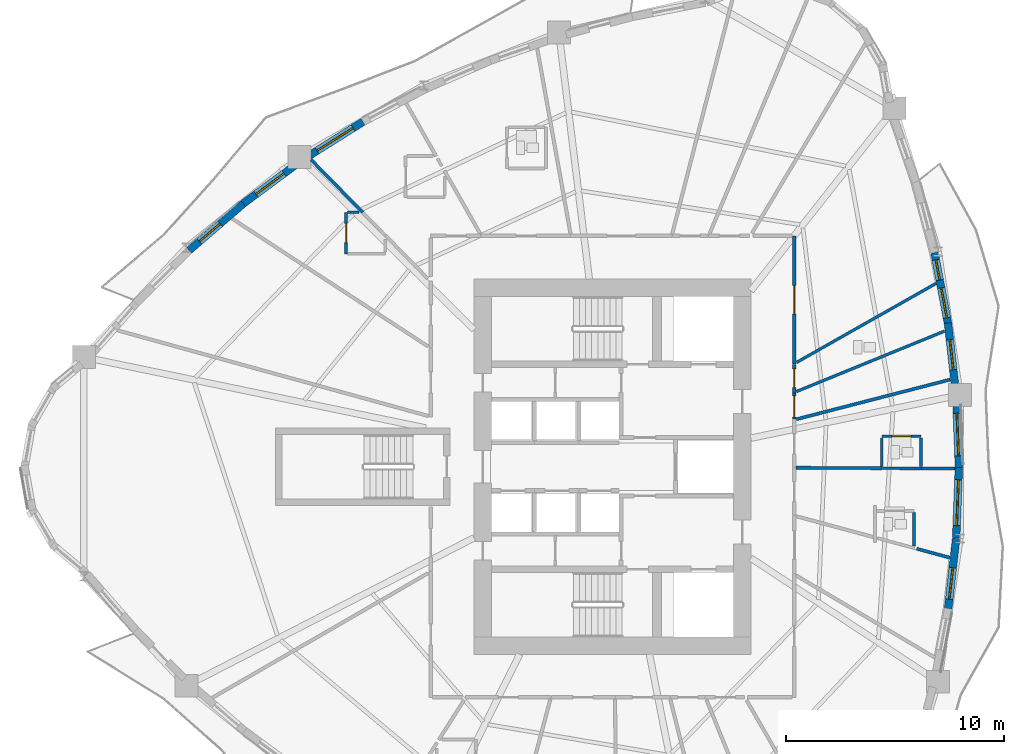
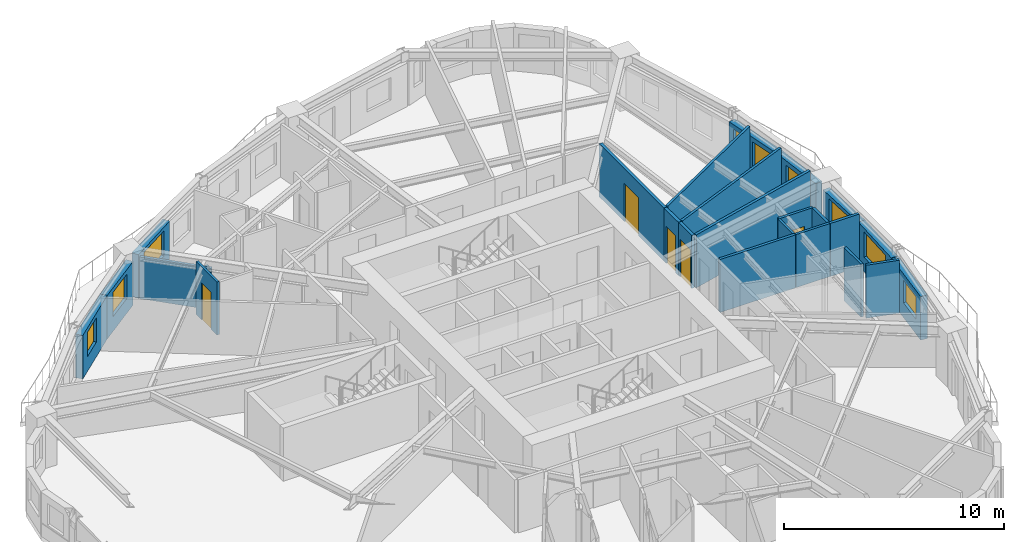
# One storey, part 7 of 13: 25 walls, 9 windows, 5 doors, 14 openings.
"""IFC4 building model written with IfcOpenShell, lengths in metres."""

from ifc_helpers import new_model, si_unit, direction, frame, frame_2d, origin, place, context, subcontext, project, spatial, rectangle, extrude, source, transform, mapped, material, layer, layer_set, type_object, element, fill, save


model = new_model("IFC4")

# Units and contexts
model_context = context("Model", 3, precision=1e-05, world=origin(), true_north=direction((0.0, 1.0)))
body_context = subcontext(model_context, "Body", "Model", "MODEL_VIEW")
ifc_project = project(units=[si_unit("LENGTHUNIT", "METRE"), si_unit("AREAUNIT", "SQUARE_METRE"), si_unit("VOLUMEUNIT", "CUBIC_METRE"), si_unit("PLANEANGLEUNIT", "RADIAN"), si_unit("MASSUNIT", "GRAM", prefix="KILO")], contexts=[model_context])

# Site, building, storey
site_placement = place(None, origin())
site = spatial("IfcSite", under=ifc_project, at=site_placement, CompositionType="ELEMENT")
building_placement = place(site_placement, origin())
building = spatial("IfcBuilding", under=site, at=building_placement, Name="Qafzar Sky-Pleat Residences", CompositionType="ELEMENT")
storey_placement = place(building_placement, frame((0.0, 0.0, 52.60009765625)))
storey = spatial("IfcBuildingStorey", under=building, at=storey_placement, Name="L15", CompositionType="ELEMENT", Elevation=52.60009765625)

# Wall, opening, door
ifc_material_1 = material(Name="Acoustic gypsum plasterboard partition", Category="gypsum")
ifc_layer_1 = layer(ifc_material_1, 0.159912109375)
ifc_layer_set_1 = layer_set([ifc_layer_1], Name="Acoustic gypsum plasterboard partition")
wall_type_1 = type_object("IfcWallType", Name="PART-COR-160", PredefinedType="PARTITIONING", material=ifc_layer_set_1)
wall_1_placement = place(storey_placement, frame((38.679931640625, 36.580078125, 0.0), z_axis=(0.0, 0.0, 1.0), x_axis=(0.0, -1.0, 0.0)))
wall_1 = element("IfcWall", 1, at=wall_1_placement, inside=storey, type_object=wall_type_1, Name="L15 Partition Wall PART-L15-PW-001", PredefinedType="PARTITIONING", context=body_context, shape_type="SweptSolid", body=[
    extrude(rectangle(XDim=5.880126953125, YDim=0.159912109375, at=frame_2d((2.93994140625, 0.0))), origin(), (0.0, 0.0, 1.0), 2.93994140625),
])
opening_1_placement = place(wall_1_placement, frame((2.281494140625, 0.0, 0.0)))
opening_1 = element("IfcOpeningElement", 2, at=opening_1_placement, cuts=wall_1, Name="Opening ID-05", PredefinedType="OPENING", context=body_context, shape_type="SweptSolid", body=[
    extrude(rectangle(XDim=1.300048828125, YDim=2.10009765625, at=frame_2d((0.64990234375, 1.050048828125))), frame((0.0, 0.08984375, 0.0), z_axis=(0.0, -1.0, 0.0), x_axis=(1.0, 0.0, 0.0)), (0.0, 0.0, 1.0), 0.179931640625),
])
ifc_material_2 = material(Name="Timber-faced fire door", Category="wood")
door_type_1 = type_object("IfcDoorType", Name="DR-LNG-1300", OperationType="DOUBLE_DOOR_SINGLE_SWING", PredefinedType="DOOR", material=ifc_material_2)
shared_shape_1 = source(origin(), body_context, "Body", "SweptSolid", [
    extrude(rectangle(XDim=1.300048828125, YDim=2.10009765625, at=frame_2d((0.64990234375, 1.050048828125))), frame((0.0, 0.02490234375, 0.0), z_axis=(0.0, -1.0, 0.0), x_axis=(1.0, 0.0, 0.0)), (0.0, 0.0, 1.0), 0.050048828125),
])
door_1_placement = place(opening_1_placement, origin())
door_1 = element("IfcDoor", 3, at=door_1_placement, inside=storey, type_object=door_type_1, Name="L15 Co-Living Lounge Door", OperationType="DOUBLE_DOOR_SINGLE_SWING", OverallHeight=2.10009765625, OverallWidth=1.300048828125, PredefinedType="DOOR", context=body_context, shape_type="MappedRepresentation", body=[
    mapped(shared_shape_1, transform((0.0, 0.0, 0.0), x_axis=(1.0, 0.0, 0.0), y_axis=(0.0, 1.0, 0.0), z_axis=(0.0, 0.0, 1.0), scale=1.0)),
])
fill(opening_1, door_1)

wall_2_placement = place(storey_placement, frame((38.679931640625, 30.68505859375, 0.0), z_axis=(0.0, 0.0, 1.0), x_axis=(0.0, -1.0, 0.0)))
wall_2 = element("IfcWall", 4, at=wall_2_placement, inside=storey, type_object=wall_type_1, Name="L15 Partition Wall PART-L15-PW-028", PredefinedType="PARTITIONING", context=body_context, shape_type="SweptSolid", body=[
    extrude(rectangle(XDim=1.301025390625, YDim=0.159912109375, at=frame_2d((0.650390625, 0.0))), origin(), (0.0, 0.0, 1.0), 2.93994140625),
])
opening_2_placement = place(wall_2_placement, frame((0.199951171875, 0.0, 0.0)))
opening_2 = element("IfcOpeningElement", 5, at=opening_2_placement, cuts=wall_2, Name="Opening ID-09", PredefinedType="OPENING", context=body_context, shape_type="SweptSolid", body=[
    extrude(rectangle(XDim=0.860107421875, YDim=2.050048828125, at=frame_2d((0.43017578125, 1.02490234375))), frame((0.0, 0.08984375, 0.0), z_axis=(0.0, -1.0, 0.0), x_axis=(1.0, 0.0, 0.0)), (0.0, 0.0, 1.0), 0.179931640625),
])
door_type_2 = type_object("IfcDoorType", Name="DR-SVC-860", OperationType="NOTDEFINED", PredefinedType="DOOR", material=ifc_material_2)
shared_shape_2 = source(origin(), body_context, "Body", "SweptSolid", [
    extrude(rectangle(XDim=0.860107421875, YDim=2.050048828125, at=frame_2d((0.43017578125, 1.02490234375))), frame((0.0, 0.02490234375, 0.0), z_axis=(0.0, -1.0, 0.0), x_axis=(1.0, 0.0, 0.0)), (0.0, 0.0, 1.0), 0.050048828125),
])
door_2_placement = place(opening_2_placement, origin())
door_2 = element("IfcDoor", 6, at=door_2_placement, inside=storey, type_object=door_type_2, Name="L15 Accessible Shared Washroom Door", OperationType="SINGLE_SWING_RIGHT", OverallHeight=2.050048828125, OverallWidth=0.860107421875, PredefinedType="DOOR", context=body_context, shape_type="MappedRepresentation", body=[
    mapped(shared_shape_2, transform((0.0, 0.0, 0.0), x_axis=(1.0, 0.0, 0.0), y_axis=(0.0, 1.0, 0.0), z_axis=(0.0, 0.0, 1.0), scale=1.0)),
])
fill(opening_2, door_2)

wall_3_placement = place(storey_placement, frame((38.679931640625, 29.368896484375, 0.0), z_axis=(0.0, 0.0, 1.0), x_axis=(0.0, -1.0, 0.0)))
wall_3 = element("IfcWall", 7, at=wall_3_placement, inside=storey, type_object=wall_type_1, Name="L15 Partition Wall PART-L15-PW-029", PredefinedType="PARTITIONING", context=body_context, shape_type="SweptSolid", body=[
    extrude(rectangle(XDim=1.18994140625, YDim=0.159912109375, at=frame_2d((0.594970703125, 0.0))), origin(), (0.0, 0.0, 1.0), 2.93994140625),
])
opening_3_placement = place(wall_3_placement, frame((0.12646484375, 0.0, 0.0)))
opening_3 = element("IfcOpeningElement", 8, at=opening_3_placement, cuts=wall_3, Name="Opening ID-06", PredefinedType="OPENING", context=body_context, shape_type="SweptSolid", body=[
    extrude(rectangle(XDim=0.9599609375, YDim=2.10009765625, at=frame_2d((0.47998046875, 1.050048828125))), frame((0.0, 0.08984375, 0.0), z_axis=(0.0, -1.0, 0.0), x_axis=(1.0, 0.0, 0.0)), (0.0, 0.0, 1.0), 0.179931640625),
])
door_type_3 = type_object("IfcDoorType", Name="DR-STD-960", OperationType="NOTDEFINED", PredefinedType="DOOR", material=ifc_material_2)
shared_shape_3 = source(origin(), body_context, "Body", "SweptSolid", [
    extrude(rectangle(XDim=0.9599609375, YDim=2.10009765625, at=frame_2d((0.47998046875, 1.050048828125))), frame((0.0, 0.02490234375, 0.0), z_axis=(0.0, -1.0, 0.0), x_axis=(1.0, 0.0, 0.0)), (0.0, 0.0, 1.0), 0.050048828125),
])
door_3_placement = place(opening_3_placement, origin())
door_3 = element("IfcDoor", 9, at=door_3_placement, inside=storey, type_object=door_type_3, Name="L15 Scholar Study Room Door", OperationType="SINGLE_SWING_LEFT", OverallHeight=2.10009765625, OverallWidth=0.9599609375, PredefinedType="DOOR", context=body_context, shape_type="MappedRepresentation", body=[
    mapped(shared_shape_3, transform((0.0, 0.0, 0.0), x_axis=(1.0, 0.0, 0.0), y_axis=(0.0, 1.0, 0.0), z_axis=(0.0, 0.0, 1.0), scale=1.0)),
])
fill(opening_3, door_3)

# Walls
ifc_layer_2 = layer(ifc_material_1, 0.14501953125)
ifc_layer_set_2 = layer_set([ifc_layer_2], Name="Acoustic gypsum plasterboard partition")
wall_type_2 = type_object("IfcWallType", Name="PART-UNIT-145", PredefinedType="PARTITIONING", material=ifc_layer_set_2)
wall_4_placement = place(storey_placement, frame((38.785888671875, 28.17529296875, 0.0), z_axis=(0.0, 0.0, 1.0), x_axis=(0.96830505458, 0.249770537242, 0.0)))
element("IfcWall", 10, at=wall_4_placement, inside=storey, type_object=wall_type_2, Name="L15 Partition Wall PART-L15-PW-043", PredefinedType="PARTITIONING", context=body_context, shape_type="SweptSolid", body=[
    extrude(rectangle(XDim=7.281982421875, YDim=0.14501953125, at=frame_2d((3.64111328125, 0.0))), origin(), (0.0, 0.0, 1.0), 2.93994140625),
])
wall_5_placement = place(storey_placement, frame((38.768310546875, 25.952392578125, 0.0), z_axis=(0.0, 0.0, 1.0), x_axis=(0.999983822916, -0.005688049444, 0.0)))
element("IfcWall", 11, at=wall_5_placement, inside=storey, type_object=wall_type_2, Name="L15 Partition Wall PART-L15-PW-047", PredefinedType="PARTITIONING", context=body_context, shape_type="SweptSolid", body=[
    extrude(rectangle(XDim=3.94873046875, YDim=0.14501953125, at=frame_2d((1.974365234375, 0.0))), origin(), (0.0, 0.0, 1.0), 2.93994140625),
])
wall_6_placement = place(storey_placement, frame((16.529052734375, 40.08056640625, 0.0), z_axis=(0.0, 0.0, 1.0), x_axis=(0.700331657038, -0.713817602859, 0.0)))
element("IfcWall", 12, at=wall_6_placement, inside=storey, type_object=wall_type_2, Name="L15 Partition Wall PART-L15-PW-051", PredefinedType="PARTITIONING", context=body_context, shape_type="SweptSolid", body=[
    extrude(rectangle(XDim=3.38525390625, YDim=0.14501953125, at=frame_2d((1.692626953125, 0.0))), origin(), (0.0, 0.0, 1.0), 2.307861328125),
])
wall_7_placement = place(storey_placement, frame((44.30517578125, 22.23828125, 0.0), z_axis=(0.0, 0.0, 1.0), x_axis=(0.96544085657, -0.260622240925, 0.0)))
element("IfcWall", 13, at=wall_7_placement, inside=storey, type_object=wall_type_2, Name="L15 Partition Wall PART-L15-PW-072", PredefinedType="PARTITIONING", context=body_context, shape_type="SweptSolid", body=[
    extrude(rectangle(XDim=1.5654296875, YDim=0.14501953125, at=frame_2d((0.78271484375, 0.0))), origin(), (0.0, 0.0, 1.0), 2.93994140625),
])
wall_8_placement = place(storey_placement, frame((44.531982421875, 25.919677734375, 0.0), z_axis=(0.0, 0.0, 1.0), x_axis=(0.999984138171, -0.00563235353, 0.0)))
element("IfcWall", 14, at=wall_8_placement, inside=storey, type_object=wall_type_2, Name="L15 Partition Wall PART-L15-PW-077", PredefinedType="PARTITIONING", context=body_context, shape_type="SweptSolid", body=[
    extrude(rectangle(XDim=1.51708984375, YDim=0.14501953125, at=frame_2d((0.758544921875, 0.0))), origin(), (0.0, 0.0, 1.0), 2.93994140625),
])

# Wall, opening, door
ifc_material_3 = material(Name="Moisture-resistant gypsum partition", Category="gypsum")
ifc_layer_3 = layer(ifc_material_3, 0.1298828125)
ifc_layer_set_3 = layer_set([ifc_layer_3], Name="Moisture-resistant gypsum partition")
wall_type_3 = type_object("IfcWallType", Name="PART-WET-130", PredefinedType="PARTITIONING", material=ifc_layer_set_3)
wall_9_placement = place(storey_placement, frame((18.137939453125, 37.6640625, 0.0), z_axis=(0.0, 0.0, 1.0), x_axis=(0.0, -1.0, 0.0)))
wall_9 = element("IfcWall", 15, at=wall_9_placement, inside=storey, type_object=wall_type_3, Name="L15 Partition Wall PART-L15-PW-019", PredefinedType="PARTITIONING", context=body_context, shape_type="SweptSolid", body=[
    extrude(rectangle(XDim=1.900146484375, YDim=0.1298828125, at=frame_2d((0.9501953125, 0.0))), origin(), (0.0, 0.0, 1.0), 2.93994140625),
])
opening_4_placement = place(wall_9_placement, frame((0.510009765625, 0.0, 0.0)))
opening_4 = element("IfcOpeningElement", 16, at=opening_4_placement, cuts=wall_9, Name="Opening ID-07", PredefinedType="OPENING", context=body_context, shape_type="SweptSolid", body=[
    extrude(rectangle(XDim=0.8798828125, YDim=2.050048828125, at=frame_2d((0.43994140625, 1.02490234375))), frame((0.0, 0.074951171875, 0.0), z_axis=(0.0, -1.0, 0.0), x_axis=(1.0, 0.0, 0.0)), (0.0, 0.0, 1.0), 0.14990234375),
])
door_type_4 = type_object("IfcDoorType", Name="DR-WET-880", OperationType="NOTDEFINED", PredefinedType="DOOR", material=ifc_material_2)
shared_shape_4 = source(origin(), body_context, "Body", "SweptSolid", [
    extrude(rectangle(XDim=0.8798828125, YDim=2.050048828125, at=frame_2d((0.43994140625, 1.02490234375))), frame((0.0, 0.02490234375, 0.0), z_axis=(0.0, -1.0, 0.0), x_axis=(1.0, 0.0, 0.0)), (0.0, 0.0, 1.0), 0.050048828125),
])
door_4_placement = place(opening_4_placement, origin())
door_4 = element("IfcDoor", 17, at=door_4_placement, inside=storey, type_object=door_type_4, Name="L15 En-suite Bathroom 8 Door", OperationType="SINGLE_SWING_LEFT", OverallHeight=2.050048828125, OverallWidth=0.8798828125, PredefinedType="DOOR", context=body_context, shape_type="MappedRepresentation", body=[
    mapped(shared_shape_4, transform((0.0, 0.0, 0.0), x_axis=(1.0, 0.0, 0.0), y_axis=(0.0, 1.0, 0.0), z_axis=(0.0, 0.0, 1.0), scale=1.0)),
])
fill(opening_4, door_4)

wall_10_placement = place(storey_placement, frame((44.501953125, 27.39990234375, 0.0), z_axis=(0.0, 0.0, 1.0), x_axis=(-1.0, 0.0, 0.0)))
wall_10 = element("IfcWall", 18, at=wall_10_placement, inside=storey, type_object=wall_type_3, Name="L15 Partition Wall PART-L15-PW-023", PredefinedType="PARTITIONING", context=body_context, shape_type="SweptSolid", body=[
    extrude(rectangle(XDim=1.800048828125, YDim=0.1298828125, at=frame_2d((0.89990234375, 0.0))), origin(), (0.0, 0.0, 1.0), 2.93994140625),
])
opening_5_placement = place(wall_10_placement, frame((0.4599609375, 0.0, 0.0)))
opening_5 = element("IfcOpeningElement", 19, at=opening_5_placement, cuts=wall_10, Name="Opening ID-07", PredefinedType="OPENING", context=body_context, shape_type="SweptSolid", body=[
    extrude(rectangle(XDim=0.8798828125, YDim=2.050048828125, at=frame_2d((0.43994140625, 1.02490234375))), frame((0.0, 0.074951171875, 0.0), z_axis=(0.0, -1.0, 0.0), x_axis=(1.0, 0.0, 0.0)), (0.0, 0.0, 1.0), 0.14990234375),
])
door_5_placement = place(opening_5_placement, origin())
door_5 = element("IfcDoor", 20, at=door_5_placement, inside=storey, type_object=door_type_4, Name="L15 En-suite Bathroom 4 Door", OperationType="SINGLE_SWING_LEFT", OverallHeight=2.050048828125, OverallWidth=0.8798828125, PredefinedType="DOOR", context=body_context, shape_type="MappedRepresentation", body=[
    mapped(shared_shape_4, transform((0.0, 0.0, 0.0), x_axis=(1.0, 0.0, 0.0), y_axis=(0.0, 1.0, 0.0), z_axis=(0.0, 0.0, 1.0), scale=1.0)),
])
fill(opening_5, door_5)

# Walls
wall_11_placement = place(storey_placement, frame((38.799072265625, 30.784423828125, 0.0), z_axis=(0.0, 0.0, 1.0), x_axis=(0.870159349722, 0.492770439547, 0.0)))
element("IfcWall", 21, at=wall_11_placement, inside=storey, type_object=wall_type_3, Name="L15 Partition Wall PART-L15-PW-041", PredefinedType="PARTITIONING", context=body_context, shape_type="SweptSolid", body=[
    extrude(rectangle(XDim=7.352783203125, YDim=0.1298828125, at=frame_2d((3.67626953125, 0.0))), origin(), (0.0, 0.0, 1.0), 2.93994140625),
])
wall_12_placement = place(storey_placement, frame((38.7919921875, 29.44677734375, 0.0), z_axis=(0.0, 0.0, 1.0), x_axis=(0.925857634668, 0.377872518618, 0.0)))
element("IfcWall", 22, at=wall_12_placement, inside=storey, type_object=wall_type_3, Name="L15 Partition Wall PART-L15-PW-042", PredefinedType="PARTITIONING", context=body_context, shape_type="SweptSolid", body=[
    extrude(rectangle(XDim=7.327880859375, YDim=0.1298828125, at=frame_2d((3.6640625, 0.0))), origin(), (0.0, 0.0, 1.0), 2.93994140625),
])
wall_13_placement = place(storey_placement, frame((42.73193359375, 25.9296875, 0.0), z_axis=(0.0, 0.0, 1.0), x_axis=(0.999985037372, -0.005470377666, 0.0)))
element("IfcWall", 23, at=wall_13_placement, inside=storey, type_object=wall_type_3, Name="L15 Partition Wall PART-L15-PW-068", PredefinedType="PARTITIONING", context=body_context, shape_type="SweptSolid", body=[
    extrude(rectangle(XDim=1.78515625, YDim=0.1298828125, at=frame_2d((0.892578125, 0.0))), origin(), (0.0, 0.0, 1.0), 2.93994140625),
])
wall_14_placement = place(storey_placement, frame((44.18408203125, 22.36376953125, 0.0), z_axis=(0.0, 0.0, 1.0), x_axis=(0.0, 1.0, 0.0)))
element("IfcWall", 24, at=wall_14_placement, inside=storey, type_object=wall_type_3, Name="L15 Partition Wall PART-L15-PW-070", PredefinedType="PARTITIONING", context=body_context, shape_type="SweptSolid", body=[
    extrude(rectangle(XDim=1.53515625, YDim=0.1298828125, at=frame_2d((0.767578125, 0.0))), origin(), (0.0, 0.0, 1.0), 2.93994140625),
])
wall_15_placement = place(storey_placement, frame((44.501953125, 26.0009765625, 0.0), z_axis=(0.0, 0.0, 1.0), x_axis=(0.0, 1.0, 0.0)))
element("IfcWall", 25, at=wall_15_placement, inside=storey, type_object=wall_type_3, Name="L15 Partition Wall PART-L15-PW-078", PredefinedType="PARTITIONING", context=body_context, shape_type="SweptSolid", body=[
    extrude(rectangle(XDim=1.325927734375, YDim=0.1298828125, at=frame_2d((0.6630859375, 0.0))), origin(), (0.0, 0.0, 1.0), 2.93994140625),
])
wall_16_placement = place(storey_placement, frame((42.701904296875, 26.010986328125, 0.0), z_axis=(0.0, 0.0, 1.0), x_axis=(0.0, 1.0, 0.0)))
element("IfcWall", 26, at=wall_16_placement, inside=storey, type_object=wall_type_3, Name="L15 Partition Wall PART-L15-PW-079", PredefinedType="PARTITIONING", context=body_context, shape_type="SweptSolid", body=[
    extrude(rectangle(XDim=1.31591796875, YDim=0.1298828125, at=frame_2d((0.657958984375, 0.0))), origin(), (0.0, 0.0, 1.0), 2.93994140625),
])
wall_17_placement = place(storey_placement, frame((18.2109375, 37.6640625, 0.0), z_axis=(0.0, 0.0, 1.0), x_axis=(1.0, 0.0, 0.0)))
element("IfcWall", 27, at=wall_17_placement, inside=storey, type_object=wall_type_3, Name="L15 Partition Wall PART-L15-PW-086", PredefinedType="PARTITIONING", context=body_context, shape_type="SweptSolid", body=[
    extrude(rectangle(XDim=0.515869140625, YDim=0.1298828125, at=frame_2d((0.2578125, 0.0))), origin(), (0.0, 0.0, 1.0), 2.5078125),
])

# Wall, opening, window
ifc_material_4 = material(Name="Precast concrete C40/50 with honed Riyadh limestone", Category="concrete")
ifc_layer_4 = layer(ifc_material_4, 0.35009765625)
ifc_layer_set_4 = layer_set([ifc_layer_4], Name="Precast concrete C40/50 with honed Riyadh limestone")
wall_type_4 = type_object("IfcWallType", Name="WALL-EXT-350", PredefinedType="SOLIDWALL", material=ifc_layer_set_4)
wall_18_placement = place(storey_placement, frame((45.735107421875, 19.4072265625, 0.0), z_axis=(0.0, 0.0, 1.0), x_axis=(0.113314766684, 0.993559139484, 0.0)))
wall_18 = element("IfcWall", 28, at=wall_18_placement, inside=storey, type_object=wall_type_4, Name="L15 Limestone Facade Wall 26", PredefinedType="SOLIDWALL", context=body_context, shape_type="SweptSolid", body=[
    extrude(rectangle(XDim=3.32666015625, YDim=0.35009765625, at=frame_2d((1.663330078125, 0.0))), origin(), (0.0, 0.0, 1.0), 2.419921875),
])
opening_6_placement = place(wall_18_placement, frame((0.521240234375, 0.0, 0.820068359375)))
opening_6 = element("IfcOpeningElement", 29, at=opening_6_placement, cuts=wall_18, Name="Opening WN-15", PredefinedType="OPENING", context=body_context, shape_type="SweptSolid", body=[
    extrude(rectangle(XDim=1.449951171875, YDim=1.25, at=frame_2d((0.72509765625, 0.625))), frame((0.0, 0.18505859375, 0.0), z_axis=(0.0, -1.0, 0.0), x_axis=(1.0, 0.0, 0.0)), (0.0, 0.0, 1.0), 0.3701171875),
])
ifc_material_5 = material(Name="Solar-control low-E glass in bronze aluminium frame", Category="glass")
window_type_1 = type_object("IfcWindowType", Name="WIN-15", PartitioningType="SINGLE_PANEL", PredefinedType="WINDOW", material=ifc_material_5)
shared_shape_5 = source(origin(), body_context, "Body", "SweptSolid", [
    extrude(rectangle(XDim=1.449951171875, YDim=1.25, at=frame_2d((0.72509765625, 0.625))), frame((0.0, 0.030029296875, 0.0), z_axis=(0.0, -1.0, 0.0), x_axis=(1.0, 0.0, 0.0)), (0.0, 0.0, 1.0), 0.06005859375),
])
window_1_placement = place(opening_6_placement, origin())
window_1 = element("IfcWindow", 30, at=window_1_placement, inside=storey, type_object=window_type_1, Name="L15 Punched Facade Window 26", OverallHeight=1.25, OverallWidth=1.449951171875, PartitioningType="SINGLE_PANEL", PredefinedType="WINDOW", context=body_context, shape_type="MappedRepresentation", body=[
    mapped(shared_shape_5, transform((0.0, 0.0, 0.0), x_axis=(1.0, 0.0, 0.0), y_axis=(0.0, 1.0, 0.0), z_axis=(0.0, 0.0, 1.0), scale=1.0)),
])
fill(opening_6, window_1)

wall_19_placement = place(storey_placement, frame((46.114013671875, 22.7392578125, 0.0), z_axis=(0.0, 0.0, 1.0), x_axis=(0.038010770715, 0.999277329529, 0.0)))
wall_19 = element("IfcWall", 31, at=wall_19_placement, inside=storey, type_object=wall_type_4, Name="L15 Limestone Facade Wall 27", PredefinedType="SOLIDWALL", context=body_context, shape_type="SweptSolid", body=[
    extrude(rectangle(XDim=3.307861328125, YDim=0.35009765625, at=frame_2d((1.65380859375, 0.0))), origin(), (0.0, 0.0, 1.0), 2.419921875),
])
opening_7_placement = place(wall_19_placement, frame((0.56396484375, 0.0, 0.820068359375)))
opening_7 = element("IfcOpeningElement", 32, at=opening_7_placement, cuts=wall_19, Name="Opening WN-07", PredefinedType="OPENING", context=body_context, shape_type="SweptSolid", body=[
    extrude(rectangle(XDim=2.10009765625, YDim=1.39990234375, at=frame_2d((1.050048828125, 0.699951171875))), frame((0.0, 0.18505859375, 0.0), z_axis=(0.0, -1.0, 0.0), x_axis=(1.0, 0.0, 0.0)), (0.0, 0.0, 1.0), 0.3701171875),
])
window_type_2 = type_object("IfcWindowType", Name="WIN-07", PartitioningType="DOUBLE_PANEL_VERTICAL", PredefinedType="WINDOW", material=ifc_material_5)
shared_shape_6 = source(origin(), body_context, "Body", "SweptSolid", [
    extrude(rectangle(XDim=2.10009765625, YDim=1.39990234375, at=frame_2d((1.050048828125, 0.699951171875))), frame((0.0, 0.030029296875, 0.0), z_axis=(0.0, -1.0, 0.0), x_axis=(1.0, 0.0, 0.0)), (0.0, 0.0, 1.0), 0.06005859375),
])
window_2_placement = place(opening_7_placement, origin())
window_2 = element("IfcWindow", 33, at=window_2_placement, inside=storey, type_object=window_type_2, Name="L15 Punched Facade Window 27", OverallHeight=1.39990234375, OverallWidth=2.10009765625, PartitioningType="SINGLE_PANEL", PredefinedType="WINDOW", context=body_context, shape_type="MappedRepresentation", body=[
    mapped(shared_shape_6, transform((0.0, 0.0, 0.0), x_axis=(1.0, 0.0, 0.0), y_axis=(0.0, 1.0, 0.0), z_axis=(0.0, 0.0, 1.0), scale=1.0)),
])
fill(opening_7, window_2)

wall_20_placement = place(storey_placement, frame((46.23974609375, 25.955322265625, 0.0), z_axis=(0.0, 0.0, 1.0), x_axis=(-0.038058423581, 0.999275515759, 0.0)))
wall_20 = element("IfcWall", 34, at=wall_20_placement, inside=storey, type_object=wall_type_4, Name="L15 Limestone Facade Wall 28", PredefinedType="SOLIDWALL", context=body_context, shape_type="SweptSolid", body=[
    extrude(rectangle(XDim=3.02783203125, YDim=0.35009765625, at=frame_2d((1.513916015625, 0.0))), origin(), (0.0, 0.0, 1.0), 2.419921875),
])
opening_8_placement = place(wall_20_placement, frame((0.5439453125, 0.0, 0.820068359375)))
opening_8 = element("IfcOpeningElement", 35, at=opening_8_placement, cuts=wall_20, Name="Opening WN-08", PredefinedType="OPENING", context=body_context, shape_type="SweptSolid", body=[
    extrude(rectangle(XDim=1.949951171875, YDim=1.39990234375, at=frame_2d((0.97509765625, 0.699951171875))), frame((0.0, 0.18505859375, 0.0), z_axis=(0.0, -1.0, 0.0), x_axis=(1.0, 0.0, 0.0)), (0.0, 0.0, 1.0), 0.3701171875),
])
window_type_3 = type_object("IfcWindowType", Name="WIN-08", PartitioningType="DOUBLE_PANEL_VERTICAL", PredefinedType="WINDOW", material=ifc_material_5)
shared_shape_7 = source(origin(), body_context, "Body", "SweptSolid", [
    extrude(rectangle(XDim=1.949951171875, YDim=1.39990234375, at=frame_2d((0.97509765625, 0.699951171875))), frame((0.0, 0.030029296875, 0.0), z_axis=(0.0, -1.0, 0.0), x_axis=(1.0, 0.0, 0.0)), (0.0, 0.0, 1.0), 0.06005859375),
])
window_3_placement = place(opening_8_placement, origin())
window_3 = element("IfcWindow", 36, at=window_3_placement, inside=storey, type_object=window_type_3, Name="L15 Punched Facade Window 28", OverallHeight=1.39990234375, OverallWidth=1.949951171875, PartitioningType="SINGLE_PANEL", PredefinedType="WINDOW", context=body_context, shape_type="MappedRepresentation", body=[
    mapped(shared_shape_7, transform((0.0, 0.0, 0.0), x_axis=(1.0, 0.0, 0.0), y_axis=(0.0, 1.0, 0.0), z_axis=(0.0, 0.0, 1.0), scale=1.0)),
])
fill(opening_8, window_3)

wall_21_placement = place(storey_placement, frame((46.080322265625, 29.565673828125, 0.0), z_axis=(0.0, 0.0, 1.0), x_axis=(-0.113307030468, 0.993560021763, 0.0)))
wall_21 = element("IfcWall", 37, at=wall_21_placement, inside=storey, type_object=wall_type_4, Name="L15 Limestone Facade Wall 29", PredefinedType="SOLIDWALL", context=body_context, shape_type="SweptSolid", body=[
    extrude(rectangle(XDim=3.046630859375, YDim=0.35009765625, at=frame_2d((1.5234375, 0.0))), origin(), (0.0, 0.0, 1.0), 2.419921875),
])
opening_9_placement = place(wall_21_placement, frame((0.878662109375, 0.0, 0.820068359375)))
opening_9 = element("IfcOpeningElement", 38, at=opening_9_placement, cuts=wall_21, Name="Opening WN-10", PredefinedType="OPENING", context=body_context, shape_type="SweptSolid", body=[
    extrude(rectangle(XDim=1.39990234375, YDim=1.35009765625, at=frame_2d((0.699951171875, 0.675048828125))), frame((0.0, 0.18505859375, 0.0), z_axis=(0.0, -1.0, 0.0), x_axis=(1.0, 0.0, 0.0)), (0.0, 0.0, 1.0), 0.3701171875),
])
window_type_4 = type_object("IfcWindowType", Name="WIN-10", PartitioningType="SINGLE_PANEL", PredefinedType="WINDOW", material=ifc_material_5)
shared_shape_8 = source(origin(), body_context, "Body", "SweptSolid", [
    extrude(rectangle(XDim=1.39990234375, YDim=1.35009765625, at=frame_2d((0.699951171875, 0.675048828125))), frame((0.0, 0.030029296875, 0.0), z_axis=(0.0, -1.0, 0.0), x_axis=(1.0, 0.0, 0.0)), (0.0, 0.0, 1.0), 0.06005859375),
])
window_4_placement = place(opening_9_placement, origin())
window_4 = element("IfcWindow", 39, at=window_4_placement, inside=storey, type_object=window_type_4, Name="L15 Punched Facade Window 29-2", OverallHeight=1.35009765625, OverallWidth=1.39990234375, PartitioningType="SINGLE_PANEL", PredefinedType="WINDOW", context=body_context, shape_type="MappedRepresentation", body=[
    mapped(shared_shape_8, transform((0.0, 0.0, 0.0), x_axis=(1.0, 0.0, 0.0), y_axis=(0.0, 1.0, 0.0), z_axis=(0.0, 0.0, 1.0), scale=1.0)),
])
fill(opening_9, window_4)

# Wall, openings, windows
wall_22_placement = place(storey_placement, frame((45.74853515625, 32.5048828125, 0.0), z_axis=(0.0, 0.0, 1.0), x_axis=(-0.186645237066, 0.98242737924, 0.0)))
wall_22 = element("IfcWall", 40, at=wall_22_placement, inside=storey, type_object=wall_type_4, Name="L15 Limestone Facade Wall 30", PredefinedType="SOLIDWALL", context=body_context, shape_type="SweptSolid", body=[
    extrude(rectangle(XDim=3.3642578125, YDim=0.35009765625, at=frame_2d((1.68212890625, 0.0))), origin(), (0.0, 0.0, 1.0), 2.419921875),
])
opening_10_placement = place(wall_22_placement, frame((0.329833984375, 0.0, 0.820068359375)))
opening_10 = element("IfcOpeningElement", 41, at=opening_10_placement, cuts=wall_22, Name="Opening WN-10", PredefinedType="OPENING", context=body_context, shape_type="SweptSolid", body=[
    extrude(rectangle(XDim=1.39990234375, YDim=1.35009765625, at=frame_2d((0.699951171875, 0.675048828125))), frame((0.0, 0.18505859375, 0.0), z_axis=(0.0, -1.0, 0.0), x_axis=(1.0, 0.0, 0.0)), (0.0, 0.0, 1.0), 0.3701171875),
])
opening_11_placement = place(wall_22_placement, frame((2.0869140625, 0.0, 0.820068359375)))
opening_11 = element("IfcOpeningElement", 42, at=opening_11_placement, cuts=wall_22, Name="Opening WN-12", PredefinedType="OPENING", context=body_context, shape_type="SweptSolid", body=[
    extrude(rectangle(XDim=0.949951171875, YDim=1.35009765625, at=frame_2d((0.47509765625, 0.675048828125))), frame((0.0, 0.18505859375, 0.0), z_axis=(0.0, -1.0, 0.0), x_axis=(1.0, 0.0, 0.0)), (0.0, 0.0, 1.0), 0.3701171875),
])
window_type_5 = type_object("IfcWindowType", Name="WIN-12", PartitioningType="SINGLE_PANEL", PredefinedType="WINDOW", material=ifc_material_5)
shared_shape_9 = source(origin(), body_context, "Body", "SweptSolid", [
    extrude(rectangle(XDim=0.949951171875, YDim=1.35009765625, at=frame_2d((0.47509765625, 0.675048828125))), frame((0.0, 0.030029296875, 0.0), z_axis=(0.0, -1.0, 0.0), x_axis=(1.0, 0.0, 0.0)), (0.0, 0.0, 1.0), 0.06005859375),
])
window_5_placement = place(opening_11_placement, origin())
window_5 = element("IfcWindow", 43, at=window_5_placement, inside=storey, type_object=window_type_5, Name="L15 Punched Facade Window 30-2", OverallHeight=1.35009765625, OverallWidth=0.949951171875, PartitioningType="SINGLE_PANEL", PredefinedType="WINDOW", context=body_context, shape_type="MappedRepresentation", body=[
    mapped(shared_shape_9, transform((0.0, 0.0, 0.0), x_axis=(1.0, 0.0, 0.0), y_axis=(0.0, 1.0, 0.0), z_axis=(0.0, 0.0, 1.0), scale=1.0)),
])
fill(opening_11, window_5)
window_6_placement = place(opening_10_placement, origin())
window_6 = element("IfcWindow", 44, at=window_6_placement, inside=storey, type_object=window_type_4, Name="L15 Punched Facade Window 30", OverallHeight=1.35009765625, OverallWidth=1.39990234375, PartitioningType="SINGLE_PANEL", PredefinedType="WINDOW", context=body_context, shape_type="MappedRepresentation", body=[
    mapped(shared_shape_8, transform((0.0, 0.0, 0.0), x_axis=(1.0, 0.0, 0.0), y_axis=(0.0, 1.0, 0.0), z_axis=(0.0, 0.0, 1.0), scale=1.0)),
])
fill(opening_10, window_6)

# Wall, opening, window
wall_23_placement = place(storey_placement, frame((18.9189453125, 41.818359375, 0.0), z_axis=(0.0, 0.0, 1.0), x_axis=(-0.846409172462, -0.532533109555, 0.0)))
wall_23 = element("IfcWall", 45, at=wall_23_placement, inside=storey, type_object=wall_type_4, Name="L15 Limestone Facade Wall 44", PredefinedType="SOLIDWALL", context=body_context, shape_type="SweptSolid", body=[
    extrude(rectangle(XDim=3.028076171875, YDim=0.35009765625, at=frame_2d((1.51416015625, 0.0))), origin(), (0.0, 0.0, 1.0), 2.419921875),
])
opening_12_placement = place(wall_23_placement, frame((0.542724609375, 0.0, 0.820068359375)))
opening_12 = element("IfcOpeningElement", 46, at=opening_12_placement, cuts=wall_23, Name="Opening WN-08", PredefinedType="OPENING", context=body_context, shape_type="SweptSolid", body=[
    extrude(rectangle(XDim=1.949951171875, YDim=1.39990234375, at=frame_2d((0.97509765625, 0.699951171875))), frame((0.0, 0.18505859375, 0.0), z_axis=(0.0, -1.0, 0.0), x_axis=(1.0, 0.0, 0.0)), (0.0, 0.0, 1.0), 0.3701171875),
])
window_7_placement = place(opening_12_placement, origin())
window_7 = element("IfcWindow", 47, at=window_7_placement, inside=storey, type_object=window_type_3, Name="L15 Punched Facade Window 44", OverallHeight=1.39990234375, OverallWidth=1.949951171875, PartitioningType="SINGLE_PANEL", PredefinedType="WINDOW", context=body_context, shape_type="MappedRepresentation", body=[
    mapped(shared_shape_7, transform((0.0, 0.0, 0.0), x_axis=(1.0, 0.0, 0.0), y_axis=(0.0, 1.0, 0.0), z_axis=(0.0, 0.0, 1.0), scale=1.0)),
])
fill(opening_12, window_7)

wall_24_placement = place(storey_placement, frame((15.871826171875, 39.875244140625, 0.0), z_axis=(0.0, 0.0, 1.0), x_axis=(-0.803801282622, -0.594897888763, 0.0)))
wall_24 = element("IfcWall", 48, at=wall_24_placement, inside=storey, type_object=wall_type_4, Name="L15 Limestone Facade Wall 45", PredefinedType="SOLIDWALL", context=body_context, shape_type="SweptSolid", body=[
    extrude(rectangle(XDim=3.046630859375, YDim=0.35009765625, at=frame_2d((1.5234375, 0.0))), origin(), (0.0, 0.0, 1.0), 2.419921875),
])
opening_13_placement = place(wall_24_placement, frame((0.718505859375, 0.0, 0.820068359375)))
opening_13 = element("IfcOpeningElement", 49, at=opening_13_placement, cuts=wall_24, Name="Opening WN-09", PredefinedType="OPENING", context=body_context, shape_type="SweptSolid", body=[
    extrude(rectangle(XDim=1.60009765625, YDim=1.35009765625, at=frame_2d((0.800048828125, 0.675048828125))), frame((0.0, 0.18505859375, 0.0), z_axis=(0.0, -1.0, 0.0), x_axis=(1.0, 0.0, 0.0)), (0.0, 0.0, 1.0), 0.3701171875),
])
window_type_6 = type_object("IfcWindowType", Name="WIN-09", PartitioningType="DOUBLE_PANEL_VERTICAL", PredefinedType="WINDOW", material=ifc_material_5)
shared_shape_10 = source(origin(), body_context, "Body", "SweptSolid", [
    extrude(rectangle(XDim=1.60009765625, YDim=1.35009765625, at=frame_2d((0.800048828125, 0.675048828125))), frame((0.0, 0.030029296875, 0.0), z_axis=(0.0, -1.0, 0.0), x_axis=(1.0, 0.0, 0.0)), (0.0, 0.0, 1.0), 0.06005859375),
])
window_8_placement = place(opening_13_placement, origin())
window_8 = element("IfcWindow", 50, at=window_8_placement, inside=storey, type_object=window_type_6, Name="L15 Punched Facade Window 45", OverallHeight=1.35009765625, OverallWidth=1.60009765625, PartitioningType="SINGLE_PANEL", PredefinedType="WINDOW", context=body_context, shape_type="MappedRepresentation", body=[
    mapped(shared_shape_10, transform((0.0, 0.0, 0.0), x_axis=(1.0, 0.0, 0.0), y_axis=(0.0, 1.0, 0.0), z_axis=(0.0, 0.0, 1.0), scale=1.0)),
])
fill(opening_13, window_8)

wall_25_placement = place(storey_placement, frame((13.4921875, 38.1181640625, 0.0), z_axis=(0.0, 0.0, 1.0), x_axis=(-0.7574607021, -0.652880758465, 0.0)))
wall_25 = element("IfcWall", 51, at=wall_25_placement, inside=storey, type_object=wall_type_4, Name="L15 Limestone Facade Wall 46", PredefinedType="SOLIDWALL", context=body_context, shape_type="SweptSolid", body=[
    extrude(rectangle(XDim=3.364013671875, YDim=0.35009765625, at=frame_2d((1.68212890625, 0.0))), origin(), (0.0, 0.0, 1.0), 2.419921875),
])
opening_14_placement = place(wall_25_placement, frame((1.491943359375, 0.0, 0.820068359375)))
opening_14 = element("IfcOpeningElement", 52, at=opening_14_placement, cuts=wall_25, Name="Opening WN-11", PredefinedType="OPENING", context=body_context, shape_type="SweptSolid", body=[
    extrude(rectangle(XDim=1.25, YDim=1.35009765625, at=frame_2d((0.625, 0.675048828125))), frame((0.0, 0.18505859375, 0.0), z_axis=(0.0, -1.0, 0.0), x_axis=(1.0, 0.0, 0.0)), (0.0, 0.0, 1.0), 0.3701171875),
])
window_type_7 = type_object("IfcWindowType", Name="WIN-11", PartitioningType="SINGLE_PANEL", PredefinedType="WINDOW", material=ifc_material_5)
shared_shape_11 = source(origin(), body_context, "Body", "SweptSolid", [
    extrude(rectangle(XDim=1.25, YDim=1.35009765625, at=frame_2d((0.625, 0.675048828125))), frame((0.0, 0.030029296875, 0.0), z_axis=(0.0, -1.0, 0.0), x_axis=(1.0, 0.0, 0.0)), (0.0, 0.0, 1.0), 0.06005859375),
])
window_9_placement = place(opening_14_placement, origin())
window_9 = element("IfcWindow", 53, at=window_9_placement, inside=storey, type_object=window_type_7, Name="L15 Punched Facade Window 46-2", OverallHeight=1.35009765625, OverallWidth=1.25, PartitioningType="SINGLE_PANEL", PredefinedType="WINDOW", context=body_context, shape_type="MappedRepresentation", body=[
    mapped(shared_shape_11, transform((0.0, 0.0, 0.0), x_axis=(1.0, 0.0, 0.0), y_axis=(0.0, 1.0, 0.0), z_axis=(0.0, 0.0, 1.0), scale=1.0)),
])
fill(opening_14, window_9)

save(model, "model.ifc")
